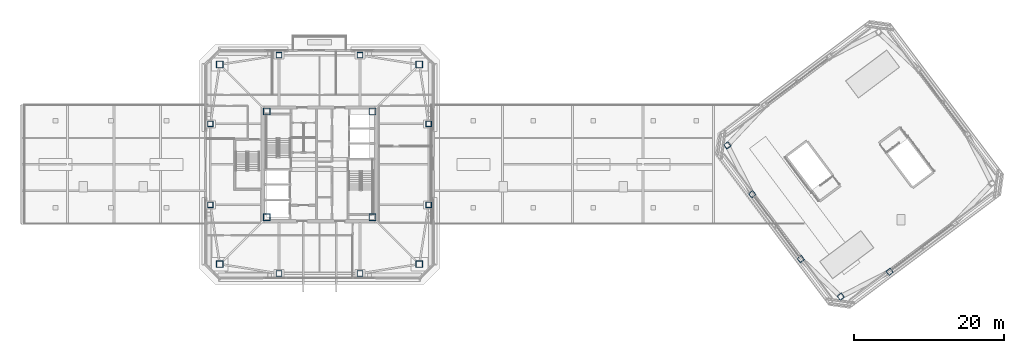
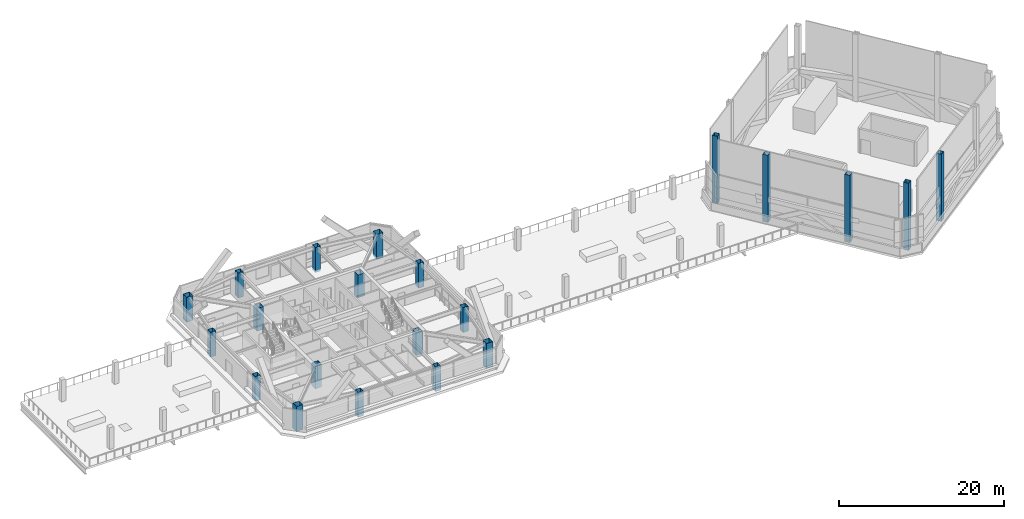
# One storey, part 1 of 37: 21 columns.
"""IFC4 building model written with IfcOpenShell, lengths in metres."""

from ifc_helpers import new_model, si_unit, direction, frame, origin, origin_2d, place, context, subcontext, project, spatial, hollow_rectangle, extrude, material, material_profile, profile_set, type_object, element, save


model = new_model("IFC4")

# Units and contexts
model_context = context("Model", 3, precision=1e-05, world=origin(), true_north=direction((0.0, 1.0)))
body_context = subcontext(model_context, "Body", "Model", "MODEL_VIEW")
ifc_project = project(units=[si_unit("LENGTHUNIT", "METRE"), si_unit("AREAUNIT", "SQUARE_METRE"), si_unit("VOLUMEUNIT", "CUBIC_METRE"), si_unit("PLANEANGLEUNIT", "RADIAN"), si_unit("MASSUNIT", "GRAM", prefix="KILO")], contexts=[model_context])

# Site, building, storey
site_placement = place(None, origin())
site = spatial("IfcSite", under=ifc_project, at=site_placement, CompositionType="ELEMENT")
building_placement = place(site_placement, origin())
building = spatial("IfcBuilding", under=site, at=building_placement, Name="Tashvorn Skyway Center", CompositionType="ELEMENT")
storey_placement = place(building_placement, frame((0.0, 0.0, 263.39990234375)))
storey = spatial("IfcBuildingStorey", under=building, at=storey_placement, Name="L71", CompositionType="ELEMENT", Elevation=263.39990234375)

# Columns
ifc_material = material(Name="Steel ASTM A572 Grade 50", Category="steel")
ifc_material_profile_1 = material_profile(ifc_material, hollow_rectangle(XDim=0.699951171875, YDim=0.699951171875, WallThickness=0.028076171875, at=origin_2d()), Name="BOX700x700x28")
ifc_profile_set_1 = profile_set([ifc_material_profile_1], Name="Steel ASTM A572 Grade 50")
column_type_1 = type_object("IfcColumnType", Name="COL-BOX700x700x28", PredefinedType="COLUMN", material=ifc_profile_set_1)
for number, where, z_axis, x_axis, name in (
    (1, (111.47998046875, 14.360107421875, 0.0), (0.0, 0.0, 1.0), (0.799999996291, 0.600000004945, 0.0), "CROWN FRAME Tower 2 Portal Column MC-SW"),
    (2, (96.360107421875, 34.52001953125, 0.0), (0.0, 0.0, 1.0), (0.799999996291, 0.600000004945, 0.0), "CROWN FRAME Tower 2 Portal Column MC-NW"),
    (3, (117.989990234375, 17.679931640625, 0.0), (0.0, 0.0, 1.0), (0.799999996291, 0.600000004945, 0.0), "CROWN FRAME Tower 2 Portal Column FC-S1"),
    (4, (99.679931640625, 28.010009765625, 0.0), (0.0, 0.0, 1.0), (0.799999996291, 0.600000004945, 0.0), "CROWN FRAME Tower 2 Portal Column FC-W1"),
    (5, (106.159912109375, 19.3701171875, 0.0), (0.0, 0.0, 1.0), (0.799999996291, 0.600000004945, 0.0), "CROWN FRAME Tower 2 Portal Column FC-W2"),
):
    element("IfcColumn", number, at=place(storey_placement, frame(where, z_axis=z_axis, x_axis=x_axis)), inside=storey, type_object=column_type_1, Name=name, PredefinedType="COLUMN", context=body_context, shape_type="SweptSolid", body=[
        extrude(hollow_rectangle(XDim=0.699951171875, YDim=0.699951171875, WallThickness=0.028076171875, at=origin_2d()), origin(), (0.0, 0.0, 1.0), 9.9501953125),
    ])
ifc_material_profile_2 = material_profile(ifc_material, hollow_rectangle(XDim=0.75, YDim=0.75, WallThickness=0.031982421875, at=origin_2d()), Name="BOX750x750x32")
ifc_profile_set_2 = profile_set([ifc_material_profile_2], Name="Steel ASTM A572 Grade 50")
column_type_2 = type_object("IfcColumnType", Name="COL-BOX750x750x32", PredefinedType="COLUMN", material=ifc_profile_set_2)
for number, where, z_axis, x_axis, name in (
    (6, (36.60009765625, 17.449951171875, -0.294921875), (0.0, 0.0, 1.0), (1.0, 0.0, 0.0), "Tower 1 L71 Perimeter Column FC-S1"),
    (7, (47.39990234375, 17.449951171875, -0.294921875), (0.0, 0.0, 1.0), (1.0, 0.0, 0.0), "Tower 1 L71 Perimeter Column FC-S2"),
    (8, (56.550048828125, 26.60009765625, -0.294921875), (0.0, 0.0, 1.0), (1.0, 0.0, 0.0), "Tower 1 L71 Perimeter Column FC-E1"),
    (9, (56.550048828125, 37.39990234375, -0.294921875), (0.0, 0.0, 1.0), (1.0, 0.0, 0.0), "Tower 1 L71 Perimeter Column FC-E2"),
    (10, (47.39990234375, 46.550048828125, -0.294921875), (0.0, 0.0, 1.0), (1.0, 0.0, 0.0), "Tower 1 L71 Perimeter Column FC-N1"),
    (11, (36.60009765625, 46.550048828125, -0.294921875), (0.0, 0.0, 1.0), (1.0, 0.0, 0.0), "Tower 1 L71 Perimeter Column FC-N2"),
    (12, (27.449951171875, 37.39990234375, -0.294921875), (0.0, 0.0, 1.0), (1.0, 0.0, 0.0), "Tower 1 L71 Perimeter Column FC-W1"),
    (13, (27.449951171875, 26.60009765625, -0.294921875), (0.0, 0.0, 1.0), (1.0, 0.0, 0.0), "Tower 1 L71 Perimeter Column FC-W2"),
):
    element("IfcColumn", number, at=place(storey_placement, frame(where, z_axis=z_axis, x_axis=x_axis)), inside=storey, type_object=column_type_2, Name=name, PredefinedType="COLUMN", context=body_context, shape_type="SweptSolid", body=[
        extrude(hollow_rectangle(XDim=0.75, YDim=0.75, WallThickness=0.031982421875, at=origin_2d()), origin(), (0.0, 0.0, 1.0), 3.6650390625),
    ])
ifc_material_profile_3 = material_profile(ifc_material, hollow_rectangle(XDim=0.89990234375, YDim=0.89990234375, WallThickness=0.0400390625, at=origin_2d()), Name="BOX900x900x40")
ifc_profile_set_3 = profile_set([ifc_material_profile_3], Name="Steel ASTM A572 Grade 50")
column_type_3 = type_object("IfcColumnType", Name="COL-BOX900x900x40", PredefinedType="COLUMN", material=ifc_profile_set_3)
for number, where, z_axis, x_axis, name in (
    (14, (34.949951171875, 24.949951171875, 0.0), (0.0, 0.0, 1.0), (1.0, 0.0, 0.0), "Tower 1 L71 Core Corner Column CC-SW"),
    (15, (49.050048828125, 24.949951171875, 0.0), (0.0, 0.0, 1.0), (1.0, 0.0, 0.0), "Tower 1 L71 Core Corner Column CC-SE"),
    (16, (49.050048828125, 39.050048828125, 0.0), (0.0, 0.0, 1.0), (1.0, 0.0, 0.0), "Tower 1 L71 Core Corner Column CC-NE"),
    (17, (34.949951171875, 39.050048828125, 0.0), (0.0, 0.0, 1.0), (1.0, 0.0, 0.0), "Tower 1 L71 Core Corner Column CC-NW"),
):
    element("IfcColumn", number, at=place(storey_placement, frame(where, z_axis=z_axis, x_axis=x_axis)), inside=storey, type_object=column_type_3, Name=name, PredefinedType="COLUMN", context=body_context, shape_type="SweptSolid", body=[
        extrude(hollow_rectangle(XDim=0.89990234375, YDim=0.89990234375, WallThickness=0.0400390625, at=origin_2d()), origin(), (0.0, 0.0, 1.0), 3.3701171875),
    ])
for number, where, z_axis, x_axis, name in (
    (18, (28.699951171875, 18.699951171875, -0.294921875), (0.0, 0.0, 1.0), (1.0, 0.0, 0.0), "Tower 1 L71 Mega-Column MC-SW"),
    (19, (55.300048828125, 18.699951171875, -0.294921875), (0.0, 0.0, 1.0), (1.0, 0.0, 0.0), "Tower 1 L71 Mega-Column MC-SE"),
    (20, (55.300048828125, 45.300048828125, -0.294921875), (0.0, 0.0, 1.0), (1.0, 0.0, 0.0), "Tower 1 L71 Mega-Column MC-NE"),
    (21, (28.699951171875, 45.300048828125, -0.294921875), (0.0, 0.0, 1.0), (1.0, 0.0, 0.0), "Tower 1 L71 Mega-Column MC-NW"),
):
    element("IfcColumn", number, at=place(storey_placement, frame(where, z_axis=z_axis, x_axis=x_axis)), inside=storey, type_object=column_type_3, Name=name, PredefinedType="COLUMN", context=body_context, shape_type="SweptSolid", body=[
        extrude(hollow_rectangle(XDim=0.89990234375, YDim=0.89990234375, WallThickness=0.0400390625, at=origin_2d()), origin(), (0.0, 0.0, 1.0), 3.6650390625),
    ])

save(model, "model.ifc")
